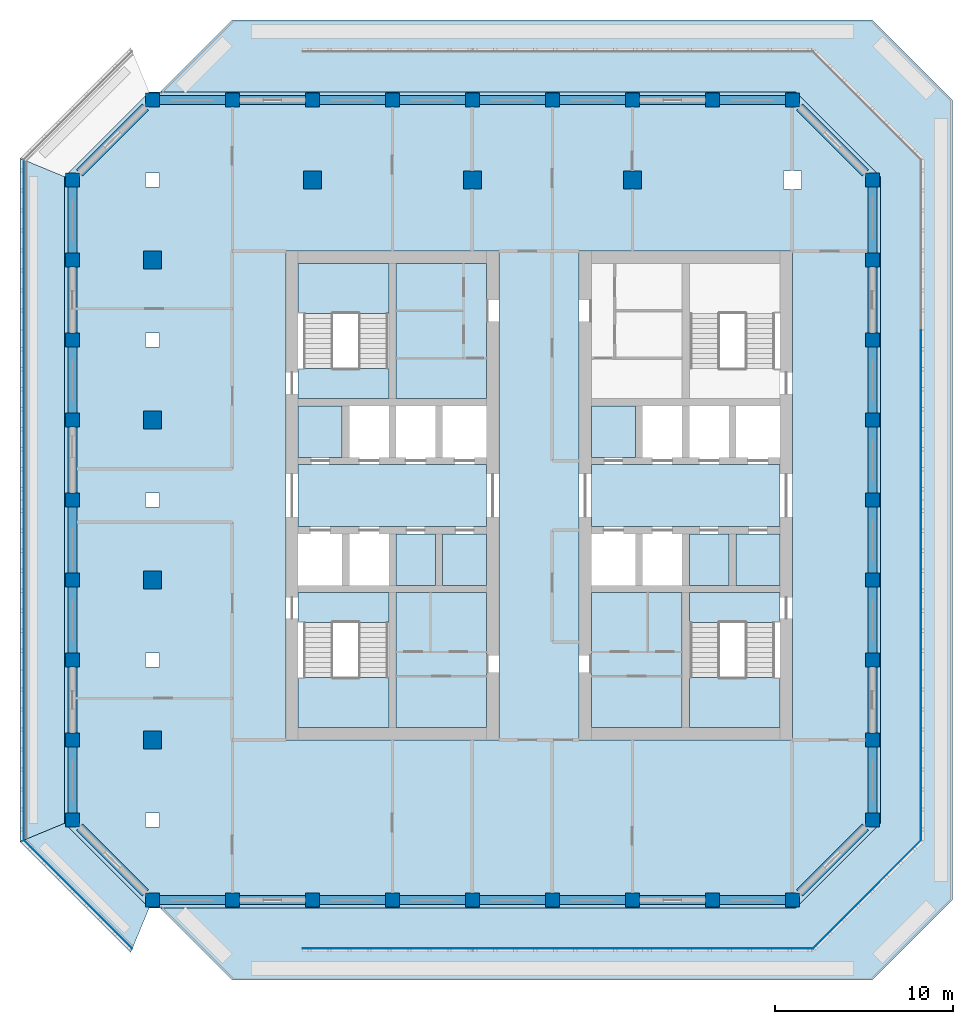
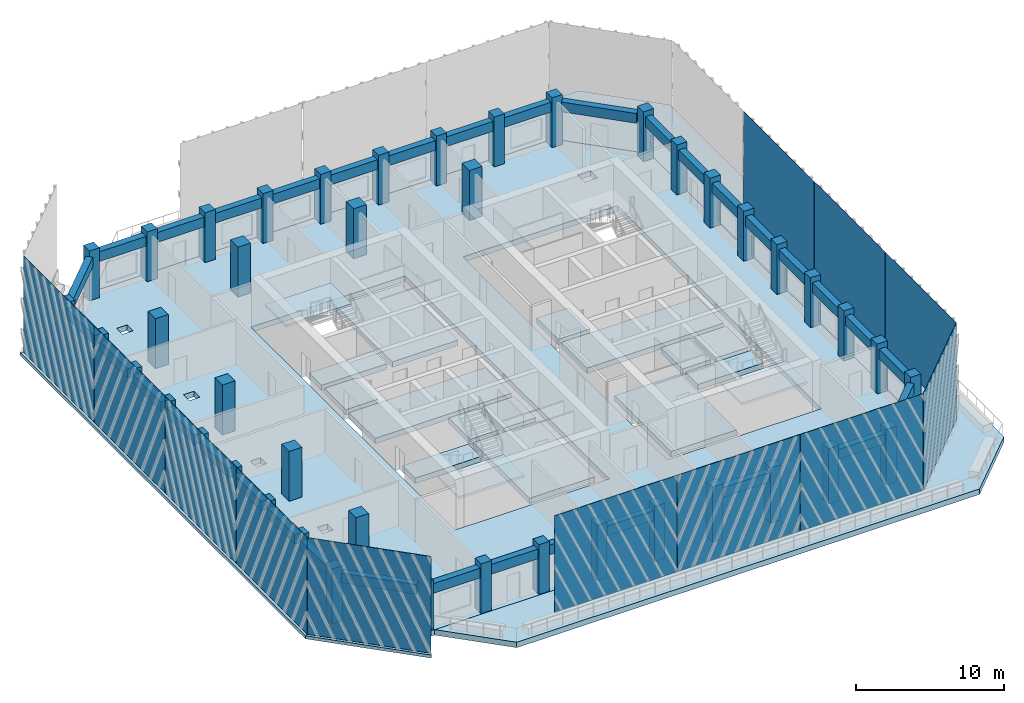
# One storey, part 1 of 14: 43 columns, 36 beams, 21 slabs, 12 plates, 3 elements without a shape of their own.
"""IFC4 building model written with IfcOpenShell, lengths in metres."""

from ifc_helpers import new_model, si_unit, direction, frame, origin, origin_2d, place, context, subcontext, project, spatial, polyline, rectangle, outline, extrude, material, layer, layer_set, material_profile, profile_set, type_object, element, aggregate, save


model = new_model("IFC4")

# Units and contexts
model_context = context("Model", 3, precision=1e-05, world=origin(), true_north=direction((0.0, 1.0)))
body_context = subcontext(model_context, "Body", "Model", "MODEL_VIEW")
ifc_project = project(units=[si_unit("LENGTHUNIT", "METRE"), si_unit("AREAUNIT", "SQUARE_METRE"), si_unit("VOLUMEUNIT", "CUBIC_METRE"), si_unit("PLANEANGLEUNIT", "RADIAN"), si_unit("MASSUNIT", "GRAM", prefix="KILO")], contexts=[model_context])

# Site, building, storey
site_placement = place(None, origin())
site = spatial("IfcSite", under=ifc_project, at=site_placement, CompositionType="ELEMENT")
building_placement = place(site_placement, origin())
building = spatial("IfcBuilding", under=site, at=building_placement, Name="Corbel Stack Research Tower", CompositionType="ELEMENT")
storey_placement = place(building_placement, frame((0.0, 0.0, 266.300048828125)))
storey = spatial("IfcBuildingStorey", under=building, at=storey_placement, Name="L60", CompositionType="ELEMENT", Elevation=266.300048828125)

# Columns
ifc_material_1 = material(Name="Concrete C60/75", Category="concrete")
ifc_material_profile_1 = material_profile(ifc_material_1, rectangle(XDim=1.0, YDim=1.0, at=origin_2d()), Name="RC 1000 x 1000")
ifc_profile_set_1 = profile_set([ifc_material_profile_1], Name="Concrete C60/75")
column_type_1 = type_object("IfcColumnType", Name="C-1000-60", PredefinedType="COLUMN", material=ifc_profile_set_1)
for number, where, z_axis, x_axis, name in (
    (1, (-18.0, -9.0, -0.449951171875), (0.0, 0.0, 1.0), (1.0, 0.0, 0.0), "Column 4/F L60"),
    (2, (-18.0, 0.0, -0.449951171875), (0.0, 0.0, 1.0), (1.0, 0.0, 0.0), "Column 4/H L60"),
    (3, (-18.0, 9.0, -0.449951171875), (0.0, 0.0, 1.0), (1.0, 0.0, 0.0), "Column 4/K L60"),
    (4, (-18.0, 18.0, -0.449951171875), (0.0, 0.0, 1.0), (1.0, 0.0, 0.0), "Column 4/M L60"),
):
    element("IfcColumn", number, at=place(storey_placement, frame(where, z_axis=z_axis, x_axis=x_axis)), inside=storey, type_object=column_type_1, Name=name, PredefinedType="COLUMN", context=body_context, shape_type="SweptSolid", body=[
        extrude(rectangle(XDim=1.0, YDim=1.0, at=origin_2d()), origin(), (0.0, 0.0, 1.0), 4.5498046875),
    ])
for number, where, z_axis, x_axis, name in (
    (5, (-9.0, 22.5, 0.0), (0.0, 0.0, 1.0), (1.0, 0.0, 0.0), "Column 6/N L60"),
    (6, (0.0, 22.5, 0.0), (0.0, 0.0, 1.0), (1.0, 0.0, 0.0), "Column 8/N L60"),
    (7, (9.0, 22.5, 0.0), (0.0, 0.0, 1.0), (1.0, 0.0, 0.0), "Column 10/N L60"),
):
    element("IfcColumn", number, at=place(storey_placement, frame(where, z_axis=z_axis, x_axis=x_axis)), inside=storey, type_object=column_type_1, Name=name, PredefinedType="COLUMN", context=body_context, shape_type="SweptSolid", body=[
        extrude(rectangle(XDim=1.0, YDim=1.0, at=origin_2d()), origin(), (0.0, 0.0, 1.0), 4.099853515625),
    ])
ifc_material_2 = material(Name="Concrete C60/75", Category="concrete")
ifc_material_profile_2 = material_profile(ifc_material_2, rectangle(XDim=0.800048828125, YDim=0.800048828125, at=origin_2d()), Name="RC 800 x 800")
ifc_profile_set_2 = profile_set([ifc_material_profile_2], Name="Concrete C60/75")
column_type_2 = type_object("IfcColumnType", Name="C-800-60", PredefinedType="COLUMN", material=ifc_profile_set_2)
for number, where, z_axis, x_axis, name in (
    (8, (-22.5, -13.5, -0.449951171875), (0.0, 0.0, 1.0), (1.0, 0.0, 0.0), "Column 3/E L60"),
    (9, (-22.5, -9.0, -0.449951171875), (0.0, 0.0, 1.0), (1.0, 0.0, 0.0), "Column 3/F L60"),
    (10, (-22.5, -4.5, -0.449951171875), (0.0, 0.0, 1.0), (1.0, 0.0, 0.0), "Column 3/G L60"),
    (11, (-22.5, 0.0, -0.449951171875), (0.0, 0.0, 1.0), (1.0, 0.0, 0.0), "Column 3/H L60"),
    (12, (-22.5, 4.5, -0.449951171875), (0.0, 0.0, 1.0), (1.0, 0.0, 0.0), "Column 3/J L60"),
    (13, (-22.5, 9.0, -0.449951171875), (0.0, 0.0, 1.0), (1.0, 0.0, 0.0), "Column 3/K L60"),
    (14, (-22.5, 13.5, -0.449951171875), (0.0, 0.0, 1.0), (1.0, 0.0, 0.0), "Column 3/L L60"),
    (15, (-22.5, 18.0, -0.449951171875), (0.0, 0.0, 1.0), (1.0, 0.0, 0.0), "Column 3/M L60"),
    (16, (-22.5, 22.5, -0.449951171875), (0.0, 0.0, 1.0), (1.0, 0.0, 0.0), "Column 3/N L60"),
    (17, (-18.0, -18.0, -0.449951171875), (0.0, 0.0, 1.0), (1.0, 0.0, 0.0), "Column 4/D L60"),
    (18, (-18.0, 27.0, -0.449951171875), (0.0, 0.0, 1.0), (1.0, 0.0, 0.0), "Column 4/P L60"),
    (19, (-13.5, -18.0, -0.449951171875), (0.0, 0.0, 1.0), (1.0, 0.0, 0.0), "Column 5/D L60"),
    (20, (-13.5, 27.0, -0.449951171875), (0.0, 0.0, 1.0), (1.0, 0.0, 0.0), "Column 5/P L60"),
    (21, (-9.0, -18.0, -0.449951171875), (0.0, 0.0, 1.0), (1.0, 0.0, 0.0), "Column 6/D L60"),
    (22, (-9.0, 27.0, -0.449951171875), (0.0, 0.0, 1.0), (1.0, 0.0, 0.0), "Column 6/P L60"),
    (23, (-4.5, -18.0, -0.449951171875), (0.0, 0.0, 1.0), (1.0, 0.0, 0.0), "Column 7/D L60"),
    (24, (-4.5, 27.0, -0.449951171875), (0.0, 0.0, 1.0), (1.0, 0.0, 0.0), "Column 7/P L60"),
    (25, (0.0, -18.0, -0.449951171875), (0.0, 0.0, 1.0), (1.0, 0.0, 0.0), "Column 8/D L60"),
    (26, (0.0, 27.0, -0.449951171875), (0.0, 0.0, 1.0), (1.0, 0.0, 0.0), "Column 8/P L60"),
    (27, (4.5, -18.0, -0.449951171875), (0.0, 0.0, 1.0), (1.0, 0.0, 0.0), "Column 9/D L60"),
    (28, (4.5, 27.0, -0.449951171875), (0.0, 0.0, 1.0), (1.0, 0.0, 0.0), "Column 9/P L60"),
    (29, (9.0, -18.0, -0.449951171875), (0.0, 0.0, 1.0), (1.0, 0.0, 0.0), "Column 10/D L60"),
    (30, (9.0, 27.0, -0.449951171875), (0.0, 0.0, 1.0), (1.0, 0.0, 0.0), "Column 10/P L60"),
    (31, (13.5, -18.0, -0.449951171875), (0.0, 0.0, 1.0), (1.0, 0.0, 0.0), "Column 11/D L60"),
    (32, (13.5, 27.0, -0.449951171875), (0.0, 0.0, 1.0), (1.0, 0.0, 0.0), "Column 11/P L60"),
    (33, (18.0, -18.0, -0.449951171875), (0.0, 0.0, 1.0), (1.0, 0.0, 0.0), "Column 12/D L60"),
    (34, (18.0, 27.0, -0.449951171875), (0.0, 0.0, 1.0), (1.0, 0.0, 0.0), "Column 12/P L60"),
    (35, (22.5, -13.5, -0.449951171875), (0.0, 0.0, 1.0), (1.0, 0.0, 0.0), "Column 13/E L60"),
    (36, (22.5, -9.0, -0.449951171875), (0.0, 0.0, 1.0), (1.0, 0.0, 0.0), "Column 13/F L60"),
    (37, (22.5, -4.5, -0.449951171875), (0.0, 0.0, 1.0), (1.0, 0.0, 0.0), "Column 13/G L60"),
    (38, (22.5, 0.0, -0.449951171875), (0.0, 0.0, 1.0), (1.0, 0.0, 0.0), "Column 13/H L60"),
    (39, (22.5, 4.5, -0.449951171875), (0.0, 0.0, 1.0), (1.0, 0.0, 0.0), "Column 13/J L60"),
    (40, (22.5, 9.0, -0.449951171875), (0.0, 0.0, 1.0), (1.0, 0.0, 0.0), "Column 13/K L60"),
    (41, (22.5, 13.5, -0.449951171875), (0.0, 0.0, 1.0), (1.0, 0.0, 0.0), "Column 13/L L60"),
    (42, (22.5, 18.0, -0.449951171875), (0.0, 0.0, 1.0), (1.0, 0.0, 0.0), "Column 13/M L60"),
    (43, (22.5, 22.5, -0.449951171875), (0.0, 0.0, 1.0), (1.0, 0.0, 0.0), "Column 13/N L60"),
):
    element("IfcColumn", number, at=place(storey_placement, frame(where, z_axis=z_axis, x_axis=x_axis)), inside=storey, type_object=column_type_2, Name=name, PredefinedType="COLUMN", context=body_context, shape_type="SweptSolid", body=[
        extrude(rectangle(XDim=0.800048828125, YDim=0.800048828125, at=origin_2d()), origin(), (0.0, 0.0, 1.0), 4.5498046875),
    ])

# Beams
ifc_material_3 = material(Name="Concrete C60/75", Category="concrete")
ifc_material_profile_3 = material_profile(ifc_material_3, rectangle(XDim=0.5, YDim=0.800048828125, at=origin_2d()), Name="RC 500 x 800")
ifc_profile_set_3 = profile_set([ifc_material_profile_3], Name="Concrete C60/75")
beam_type = type_object("IfcBeamType", Name="SB-500-800-450", PredefinedType="SPANDREL", material=ifc_profile_set_3)
for number, where, z_axis, x_axis, name in (
    (44, (-17.60009765625, -18.0, 3.25), (1.0, 0.0, 0.0), (0.0, 1.0, 0.0), "Spandrel beam L60-01"),
    (45, (-13.10009765625, -18.0, 3.25), (1.0, 0.0, 0.0), (0.0, 1.0, 0.0), "Spandrel beam L60-02"),
    (46, (-8.60009765625, -18.0, 3.25), (1.0, 0.0, 0.0), (0.0, 1.0, 0.0), "Spandrel beam L60-03"),
    (47, (-4.10009765625, -18.0, 3.25), (1.0, 0.0, 0.0), (0.0, 1.0, 0.0), "Spandrel beam L60-04"),
    (48, (0.39990234375, -18.0, 3.25), (1.0, 0.0, 0.0), (0.0, 1.0, 0.0), "Spandrel beam L60-05"),
    (49, (4.89990234375, -18.0, 3.25), (1.0, 0.0, 0.0), (0.0, 1.0, 0.0), "Spandrel beam L60-06"),
    (50, (9.39990234375, -18.0, 3.25), (1.0, 0.0, 0.0), (0.0, 1.0, 0.0), "Spandrel beam L60-07"),
    (51, (13.89990234375, -18.0, 3.25), (1.0, 0.0, 0.0), (0.0, 1.0, 0.0), "Spandrel beam L60-08"),
):
    element("IfcBeam", number, at=place(storey_placement, frame(where, z_axis=z_axis, x_axis=x_axis)), inside=storey, type_object=beam_type, Name=name, PredefinedType="SPANDREL", context=body_context, shape_type="SweptSolid", body=[
        extrude(rectangle(XDim=0.5, YDim=0.800048828125, at=origin_2d()), origin(), (0.0, 0.0, 1.0), 3.7001953125),
    ])
beam_1_placement = place(storey_placement, frame((18.39990234375, -17.60009765625, 3.25), z_axis=(0.707106781187, 0.707106781187, 0.0), x_axis=(-0.707106781187, 0.707106781187, 0.0)))
element("IfcBeam", 52, at=beam_1_placement, inside=storey, type_object=beam_type, Name="Spandrel beam L60-09", PredefinedType="SPANDREL", context=body_context, shape_type="SweptSolid", body=[
    extrude(rectangle(XDim=0.5, YDim=0.800048828125, at=origin_2d()), origin(), (0.0, 0.0, 1.0), 5.23291015625),
])
for number, where, z_axis, x_axis, name in (
    (53, (22.5, -13.10009765625, 3.25), (0.0, 1.0, 0.0), (-1.0, 0.0, 0.0), "Spandrel beam L60-10"),
    (54, (22.5, -8.60009765625, 3.25), (0.0, 1.0, 0.0), (-1.0, 0.0, 0.0), "Spandrel beam L60-11"),
    (55, (22.5, -4.10009765625, 3.25), (0.0, 1.0, 0.0), (-1.0, 0.0, 0.0), "Spandrel beam L60-12"),
    (56, (22.5, 0.39990234375, 3.25), (0.0, 1.0, 0.0), (-1.0, 0.0, 0.0), "Spandrel beam L60-13"),
    (57, (22.5, 4.89990234375, 3.25), (0.0, 1.0, 0.0), (-1.0, 0.0, 0.0), "Spandrel beam L60-14"),
    (58, (22.5, 9.39990234375, 3.25), (0.0, 1.0, 0.0), (-1.0, 0.0, 0.0), "Spandrel beam L60-15"),
    (59, (22.5, 13.89990234375, 3.25), (0.0, 1.0, 0.0), (-1.0, 0.0, 0.0), "Spandrel beam L60-16"),
    (60, (22.5, 18.39990234375, 3.25), (0.0, 1.0, 0.0), (-1.0, 0.0, 0.0), "Spandrel beam L60-17"),
):
    element("IfcBeam", number, at=place(storey_placement, frame(where, z_axis=z_axis, x_axis=x_axis)), inside=storey, type_object=beam_type, Name=name, PredefinedType="SPANDREL", context=body_context, shape_type="SweptSolid", body=[
        extrude(rectangle(XDim=0.5, YDim=0.800048828125, at=origin_2d()), origin(), (0.0, 0.0, 1.0), 3.7001953125),
    ])
beam_2_placement = place(storey_placement, frame((22.10009765625, 22.89990234375, 3.25), z_axis=(-0.707106781187, 0.707106781187, 0.0), x_axis=(-0.707106781187, -0.707106781187, 0.0)))
element("IfcBeam", 61, at=beam_2_placement, inside=storey, type_object=beam_type, Name="Spandrel beam L60-18", PredefinedType="SPANDREL", context=body_context, shape_type="SweptSolid", body=[
    extrude(rectangle(XDim=0.5, YDim=0.800048828125, at=origin_2d()), origin(), (0.0, 0.0, 1.0), 5.23291015625),
])
for number, where, z_axis, x_axis, name in (
    (62, (17.60009765625, 27.0, 3.25), (-1.0, 0.0, 0.0), (0.0, -1.0, 0.0), "Spandrel beam L60-19"),
    (63, (13.10009765625, 27.0, 3.25), (-1.0, 0.0, 0.0), (0.0, -1.0, 0.0), "Spandrel beam L60-20"),
    (64, (8.60009765625, 27.0, 3.25), (-1.0, 0.0, 0.0), (0.0, -1.0, 0.0), "Spandrel beam L60-21"),
    (65, (4.10009765625, 27.0, 3.25), (-1.0, 0.0, 0.0), (0.0, -1.0, 0.0), "Spandrel beam L60-22"),
    (66, (-0.39990234375, 27.0, 3.25), (-1.0, 0.0, 0.0), (0.0, -1.0, 0.0), "Spandrel beam L60-23"),
    (67, (-4.89990234375, 27.0, 3.25), (-1.0, 0.0, 0.0), (0.0, -1.0, 0.0), "Spandrel beam L60-24"),
    (68, (-9.39990234375, 27.0, 3.25), (-1.0, 0.0, 0.0), (0.0, -1.0, 0.0), "Spandrel beam L60-25"),
    (69, (-13.89990234375, 27.0, 3.25), (-1.0, 0.0, 0.0), (0.0, -1.0, 0.0), "Spandrel beam L60-26"),
):
    element("IfcBeam", number, at=place(storey_placement, frame(where, z_axis=z_axis, x_axis=x_axis)), inside=storey, type_object=beam_type, Name=name, PredefinedType="SPANDREL", context=body_context, shape_type="SweptSolid", body=[
        extrude(rectangle(XDim=0.5, YDim=0.800048828125, at=origin_2d()), origin(), (0.0, 0.0, 1.0), 3.7001953125),
    ])
beam_3_placement = place(storey_placement, frame((-18.39990234375, 26.60009765625, 3.25), z_axis=(-0.707106781187, -0.707106781187, 0.0), x_axis=(0.707106781187, -0.707106781187, 0.0)))
element("IfcBeam", 70, at=beam_3_placement, inside=storey, type_object=beam_type, Name="Spandrel beam L60-27", PredefinedType="SPANDREL", context=body_context, shape_type="SweptSolid", body=[
    extrude(rectangle(XDim=0.5, YDim=0.800048828125, at=origin_2d()), origin(), (0.0, 0.0, 1.0), 5.23291015625),
])
for number, where, z_axis, x_axis, name in (
    (71, (-22.5, 22.10009765625, 3.25), (0.0, -1.0, 0.0), (1.0, 0.0, 0.0), "Spandrel beam L60-28"),
    (72, (-22.5, 17.60009765625, 3.25), (0.0, -1.0, 0.0), (1.0, 0.0, 0.0), "Spandrel beam L60-29"),
    (73, (-22.5, 13.10009765625, 3.25), (0.0, -1.0, 0.0), (1.0, 0.0, 0.0), "Spandrel beam L60-30"),
    (74, (-22.5, 8.60009765625, 3.25), (0.0, -1.0, 0.0), (1.0, 0.0, 0.0), "Spandrel beam L60-31"),
    (75, (-22.5, 4.10009765625, 3.25), (0.0, -1.0, 0.0), (1.0, 0.0, 0.0), "Spandrel beam L60-32"),
    (76, (-22.5, -0.39990234375, 3.25), (0.0, -1.0, 0.0), (1.0, 0.0, 0.0), "Spandrel beam L60-33"),
    (77, (-22.5, -4.89990234375, 3.25), (0.0, -1.0, 0.0), (1.0, 0.0, 0.0), "Spandrel beam L60-34"),
    (78, (-22.5, -9.39990234375, 3.25), (0.0, -1.0, 0.0), (1.0, 0.0, 0.0), "Spandrel beam L60-35"),
):
    element("IfcBeam", number, at=place(storey_placement, frame(where, z_axis=z_axis, x_axis=x_axis)), inside=storey, type_object=beam_type, Name=name, PredefinedType="SPANDREL", context=body_context, shape_type="SweptSolid", body=[
        extrude(rectangle(XDim=0.5, YDim=0.800048828125, at=origin_2d()), origin(), (0.0, 0.0, 1.0), 3.7001953125),
    ])
beam_4_placement = place(storey_placement, frame((-22.10009765625, -13.89990234375, 3.25), z_axis=(0.707106781187, -0.707106781187, 0.0), x_axis=(0.707106781187, 0.707106781187, 0.0)))
element("IfcBeam", 79, at=beam_4_placement, inside=storey, type_object=beam_type, Name="Spandrel beam L60-36", PredefinedType="SPANDREL", context=body_context, shape_type="SweptSolid", body=[
    extrude(rectangle(XDim=0.5, YDim=0.800048828125, at=origin_2d()), origin(), (0.0, 0.0, 1.0), 5.23291015625),
])

# Plates
ifc_material_4 = material(Name="Fritted glass", Category="glass")
ifc_layer_1 = layer(ifc_material_4, 0.02490234375)
ifc_layer_set_1 = layer_set([ifc_layer_1], Name="Fritted glass")
plate_type = type_object("IfcPlateType", Name="Fritted glass panel 25", PredefinedType="SHEET", material=ifc_layer_set_1)
for number, where, z_axis, x_axis, name in (
    (80, (-4.784912109375, -20.737548828125, 0.0), (0.0, 0.0, 1.0), (1.0, 0.0, 0.0), "Fritted glass L60 S2"),
    (81, (4.784912109375, -20.737548828125, 0.0), (0.0, 0.0, 1.0), (1.0, 0.0, 0.0), "Fritted glass L60 S3"),
    (82, (14.354248046875, -20.737548828125, 0.0), (0.0, 0.0, 1.0), (1.0, 0.0, 0.0), "Fritted glass L60 S4"),
):
    element("IfcPlate", number, at=place(storey_placement, frame(where, z_axis=z_axis, x_axis=x_axis)), inside=storey, type_object=plate_type, Name=name, PredefinedType="SHEET", context=body_context, shape_type="SweptSolid", body=[
        extrude(rectangle(XDim=9.509521484375, YDim=0.02490234375, at=origin_2d()), origin(), (0.0, 0.0, 1.0), 7.949951171875),
    ])
plate_1_placement = place(storey_placement, frame((22.185791015625, -17.685791015625, 0.0), z_axis=(0.0, 0.0, 1.0), x_axis=(0.707106781187, 0.707106781187, 0.0)))
element("IfcPlate", 83, at=plate_1_placement, inside=storey, type_object=plate_type, Name="Fritted glass L60 SE1", PredefinedType="SHEET", context=body_context, shape_type="SweptSolid", body=[
    extrude(rectangle(XDim=8.58203125, YDim=0.02490234375, at=origin_2d()), origin(), (0.0, 0.0, 1.0), 7.949951171875),
])
for number, where, z_axis, x_axis, name in (
    (84, (25.237548828125, -9.854248046875, 0.0), (0.0, 0.0, 1.0), (0.0, 1.0, 0.0), "Fritted glass L60 E1"),
    (85, (25.237548828125, -0.284912109375, 0.0), (0.0, 0.0, 1.0), (0.0, 1.0, 0.0), "Fritted glass L60 E2"),
    (86, (25.237548828125, 9.284912109375, 0.0), (0.0, 0.0, 1.0), (0.0, 1.0, 0.0), "Fritted glass L60 E3"),
    (87, (-25.237548828125, 18.854248046875, 0.0), (0.0, 0.0, 1.0), (0.0, -1.0, 0.0), "Fritted glass L60 W1"),
    (88, (-25.237548828125, 9.284912109375, 0.0), (0.0, 0.0, 1.0), (0.0, -1.0, 0.0), "Fritted glass L60 W2"),
    (89, (-25.237548828125, -0.284912109375, 0.0), (0.0, 0.0, 1.0), (0.0, -1.0, 0.0), "Fritted glass L60 W3"),
    (90, (-25.237548828125, -9.854248046875, 0.0), (0.0, 0.0, 1.0), (0.0, -1.0, 0.0), "Fritted glass L60 W4"),
):
    element("IfcPlate", number, at=place(storey_placement, frame(where, z_axis=z_axis, x_axis=x_axis)), inside=storey, type_object=plate_type, Name=name, PredefinedType="SHEET", context=body_context, shape_type="SweptSolid", body=[
        extrude(rectangle(XDim=9.509521484375, YDim=0.02490234375, at=origin_2d()), origin(), (0.0, 0.0, 1.0), 7.949951171875),
    ])
plate_2_placement = place(storey_placement, frame((-22.185791015625, -17.685791015625, 0.0), z_axis=(0.0, 0.0, 1.0), x_axis=(0.707106781187, -0.707106781187, 0.0)))
element("IfcPlate", 91, at=plate_2_placement, inside=storey, type_object=plate_type, Name="Fritted glass L60 SW1", PredefinedType="SHEET", context=body_context, shape_type="SweptSolid", body=[
    extrude(rectangle(XDim=8.58203125, YDim=0.02490234375, at=origin_2d()), origin(), (0.0, 0.0, 1.0), 7.949951171875),
])

# Slabs
ifc_material_5 = material(Name="Concrete C45/55", Category="concrete")
ifc_layer_2 = layer(ifc_material_5, 0.25)
ifc_layer_set_2 = layer_set([ifc_layer_2], Name="Concrete C45/55")
slab_type_1 = type_object("IfcSlabType", Name="PT balcony slab 250 C45/55", PredefinedType="FLOOR", material=ifc_layer_set_2)
slab_1_placement = place(storey_placement, frame((0.0, 0.0, -0.25)))
element("IfcSlab", 92, at=slab_1_placement, inside=storey, type_object=slab_type_1, Name="Loggia slab L60 W", PredefinedType="FLOOR", context=body_context, shape_type="SweptSolid", body=[
    extrude(outline(polyline([(-22.949951171875, -13.686279296875), (-22.949951171875, 22.686279296875), (-25.449951171875, 23.721923828125), (-25.449951171875, -14.721923828125), (-22.949951171875, -13.686279296875)])), origin(), (0.0, 0.0, 1.0), 0.25),
])
slab_2_placement = place(storey_placement, frame((0.0, 0.0, -0.25)))
element("IfcSlab", 93, at=slab_2_placement, inside=storey, type_object=slab_type_1, Name="Loggia slab L60 SW", PredefinedType="FLOOR", context=body_context, shape_type="SweptSolid", body=[
    extrude(outline(polyline([(-18.186279296875, -18.449951171875), (-18.236328125, -18.39990234375), (-18.39990234375, -18.39990234375), (-18.39990234375, -18.236328125), (-22.736328125, -13.89990234375), (-22.89990234375, -13.89990234375), (-22.89990234375, -13.736328125), (-22.949951171875, -13.686279296875), (-25.449951171875, -14.721923828125), (-19.221923828125, -20.949951171875), (-18.186279296875, -18.449951171875)])), origin(), (0.0, 0.0, 1.0), 0.25),
])
ifc_material_6 = material(Name="Concrete C45/55", Category="concrete")
ifc_layer_3 = layer(ifc_material_6, 0.449951171875)
ifc_layer_set_3 = layer_set([ifc_layer_3], Name="Concrete C45/55")
slab_type_2 = type_object("IfcSlabType", Name="PT-450", PredefinedType="FLOOR", material=ifc_layer_set_3)
slab_3_placement = place(storey_placement, frame((0.0, 0.0, -0.449951171875)))
element("IfcSlab", 94, at=slab_3_placement, inside=storey, type_object=slab_type_2, Name="Floor slab L60", PredefinedType="FLOOR", context=body_context, shape_type="SweptSolid", body=[
    extrude(outline(polyline([(-18.186279296875, -18.449951171875), (18.186279296875, -18.449951171875), (22.949951171875, -13.686279296875), (22.949951171875, 22.686279296875), (18.186279296875, 27.449951171875), (-18.186279296875, 27.449951171875), (-22.949951171875, 22.686279296875), (-22.949951171875, -13.686279296875), (-18.186279296875, -18.449951171875)]), holes=[polyline([(18.5, 22.0), (17.5, 22.0), (17.5, 23.0), (18.5, 23.0), (18.5, 22.0)]), polyline([(18.0, -9.0), (6.0, -9.0), (6.0, 18.5), (18.0, 18.5), (18.0, -9.0)]), polyline([(9.5, 22.0), (8.5, 22.0), (8.5, 23.0), (9.5, 23.0), (9.5, 22.0)]), polyline([(1.5, -9.0), (-10.5, -9.0), (-10.5, 18.5), (1.5, 18.5), (1.5, -9.0)]), polyline([(0.5, 22.0), (-0.5, 22.0), (-0.5, 23.0), (0.5, 23.0), (0.5, 22.0)]), polyline([(-8.5, 22.0), (-9.5, 22.0), (-9.5, 23.0), (-8.5, 23.0), (-8.5, 22.0)]), polyline([(-17.60009765625, -13.10009765625), (-17.60009765625, -13.89990234375), (-18.39990234375, -13.89990234375), (-18.39990234375, -13.10009765625), (-17.60009765625, -13.10009765625)]), polyline([(-17.60009765625, -9.39990234375), (-18.39990234375, -9.39990234375), (-18.39990234375, -8.60009765625), (-17.60009765625, -8.60009765625), (-17.60009765625, -9.39990234375)]), polyline([(-17.60009765625, -4.89990234375), (-18.39990234375, -4.89990234375), (-18.39990234375, -4.10009765625), (-17.60009765625, -4.10009765625), (-17.60009765625, -4.89990234375)]), polyline([(-17.60009765625, -0.39990234375), (-18.39990234375, -0.39990234375), (-18.39990234375, 0.39990234375), (-17.60009765625, 0.39990234375), (-17.60009765625, -0.39990234375)]), polyline([(-17.60009765625, 4.10009765625), (-18.39990234375, 4.10009765625), (-18.39990234375, 4.89990234375), (-17.60009765625, 4.89990234375), (-17.60009765625, 4.10009765625)]), polyline([(-17.60009765625, 8.60009765625), (-18.39990234375, 8.60009765625), (-18.39990234375, 9.39990234375), (-17.60009765625, 9.39990234375), (-17.60009765625, 8.60009765625)]), polyline([(-17.60009765625, 13.10009765625), (-18.39990234375, 13.10009765625), (-18.39990234375, 13.89990234375), (-17.60009765625, 13.89990234375), (-17.60009765625, 13.10009765625)]), polyline([(-17.60009765625, 17.60009765625), (-18.39990234375, 17.60009765625), (-18.39990234375, 18.39990234375), (-17.60009765625, 18.39990234375), (-17.60009765625, 17.60009765625)]), polyline([(-17.60009765625, 22.10009765625), (-18.39990234375, 22.10009765625), (-18.39990234375, 22.89990234375), (-17.60009765625, 22.89990234375), (-17.60009765625, 22.10009765625)])]), origin(), (0.0, 0.0, 1.0), 0.449951171875),
])
slab_4_placement = place(storey_placement, frame((0.0, 0.0, -0.449951171875)))
element("IfcSlab", 95, at=slab_4_placement, inside=storey, type_object=slab_type_2, Name="West core floor L60", PredefinedType="FLOOR", context=body_context, shape_type="SweptSolid", body=[
    extrude(outline(polyline([(-9.800048828125, 6.5), (-9.800048828125, 3.0), (0.800048828125, 3.0), (0.800048828125, 6.5), (-9.800048828125, 6.5)])), origin(), (0.0, 0.0, 1.0), 0.449951171875),
])
slab_5_placement = place(storey_placement, frame((0.0, 0.0, -0.449951171875)))
element("IfcSlab", 96, at=slab_5_placement, inside=storey, type_object=slab_type_2, Name="West core floor L60", PredefinedType="FLOOR", context=body_context, shape_type="SweptSolid", body=[
    extrude(outline(polyline([(-9.800048828125, 6.89990234375), (-7.324951171875, 6.89990234375), (-7.324951171875, 9.800048828125), (-9.800048828125, 9.800048828125), (-9.800048828125, 6.89990234375)])), origin(), (0.0, 0.0, 1.0), 0.449951171875),
])
slab_6_placement = place(storey_placement, frame((0.0, 0.0, -0.449951171875)))
element("IfcSlab", 97, at=slab_6_placement, inside=storey, type_object=slab_type_2, Name="West core floor L60", PredefinedType="FLOOR", context=body_context, shape_type="SweptSolid", body=[
    extrude(outline(polyline([(-4.300048828125, -0.699951171875), (-4.300048828125, -8.300048828125), (0.800048828125, -8.300048828125), (0.800048828125, -0.699951171875), (-4.300048828125, -0.699951171875)])), origin(), (0.0, 0.0, 1.0), 0.449951171875),
])
slab_7_placement = place(storey_placement, frame((0.0, 0.0, -0.449951171875)))
element("IfcSlab", 98, at=slab_7_placement, inside=storey, type_object=slab_type_2, Name="West core floor L60", PredefinedType="FLOOR", context=body_context, shape_type="SweptSolid", body=[
    extrude(outline(polyline([(-4.300048828125, 2.60009765625), (-4.300048828125, -0.300048828125), (-2.074951171875, -0.300048828125), (-2.074951171875, 2.60009765625), (-4.300048828125, 2.60009765625)])), origin(), (0.0, 0.0, 1.0), 0.449951171875),
])
slab_8_placement = place(storey_placement, frame((0.0, 0.0, -0.449951171875)))
element("IfcSlab", 99, at=slab_8_placement, inside=storey, type_object=slab_type_2, Name="West core floor L60", PredefinedType="FLOOR", context=body_context, shape_type="SweptSolid", body=[
    extrude(outline(polyline([(-4.300048828125, 17.800048828125), (-4.300048828125, 10.199951171875), (0.800048828125, 10.199951171875), (0.800048828125, 17.800048828125), (-4.300048828125, 17.800048828125)])), origin(), (0.0, 0.0, 1.0), 0.449951171875),
])
slab_9_placement = place(storey_placement, frame((0.0, 0.0, -0.449951171875)))
element("IfcSlab", 100, at=slab_9_placement, inside=storey, type_object=slab_type_2, Name="West core floor L60", PredefinedType="FLOOR", context=body_context, shape_type="SweptSolid", body=[
    extrude(outline(polyline([(-1.675048828125, 2.60009765625), (-1.675048828125, -0.300048828125), (0.800048828125, -0.300048828125), (0.800048828125, 2.60009765625), (-1.675048828125, 2.60009765625)])), origin(), (0.0, 0.0, 1.0), 0.449951171875),
])
slab_10_placement = place(storey_placement, frame((0.0, 0.0, -0.449951171875)))
element("IfcSlab", 101, at=slab_10_placement, inside=storey, type_object=slab_type_2, Name="East core floor L60", PredefinedType="FLOOR", context=body_context, shape_type="SweptSolid", body=[
    extrude(outline(polyline([(6.699951171875, -8.300048828125), (11.800048828125, -8.300048828125), (11.800048828125, -0.699951171875), (6.699951171875, -0.699951171875), (6.699951171875, -8.300048828125)])), origin(), (0.0, 0.0, 1.0), 0.449951171875),
])
slab_11_placement = place(storey_placement, frame((0.0, 0.0, -0.449951171875)))
element("IfcSlab", 102, at=slab_11_placement, inside=storey, type_object=slab_type_2, Name="East core floor L60", PredefinedType="FLOOR", context=body_context, shape_type="SweptSolid", body=[
    extrude(outline(polyline([(6.699951171875, 3.0), (17.300048828125, 3.0), (17.300048828125, 6.5), (6.699951171875, 6.5), (6.699951171875, 3.0)])), origin(), (0.0, 0.0, 1.0), 0.449951171875),
])
slab_12_placement = place(storey_placement, frame((0.0, 0.0, -0.449951171875)))
element("IfcSlab", 103, at=slab_12_placement, inside=storey, type_object=slab_type_2, Name="East core floor L60", PredefinedType="FLOOR", context=body_context, shape_type="SweptSolid", body=[
    extrude(outline(polyline([(6.699951171875, 6.89990234375), (9.175048828125, 6.89990234375), (9.175048828125, 9.800048828125), (6.699951171875, 9.800048828125), (6.699951171875, 6.89990234375)])), origin(), (0.0, 0.0, 1.0), 0.449951171875),
])
slab_13_placement = place(storey_placement, frame((0.0, 0.0, -0.449951171875)))
element("IfcSlab", 104, at=slab_13_placement, inside=storey, type_object=slab_type_2, Name="East core floor L60", PredefinedType="FLOOR", context=body_context, shape_type="SweptSolid", body=[
    extrude(outline(polyline([(12.199951171875, 2.60009765625), (12.199951171875, -0.300048828125), (14.425048828125, -0.300048828125), (14.425048828125, 2.60009765625), (12.199951171875, 2.60009765625)])), origin(), (0.0, 0.0, 1.0), 0.449951171875),
])
slab_14_placement = place(storey_placement, frame((0.0, 0.0, -0.449951171875)))
element("IfcSlab", 105, at=slab_14_placement, inside=storey, type_object=slab_type_2, Name="East core floor L60", PredefinedType="FLOOR", context=body_context, shape_type="SweptSolid", body=[
    extrude(outline(polyline([(14.824951171875, 2.60009765625), (14.824951171875, -0.300048828125), (17.300048828125, -0.300048828125), (17.300048828125, 2.60009765625), (14.824951171875, 2.60009765625)])), origin(), (0.0, 0.0, 1.0), 0.449951171875),
])
slab_15_placement = place(storey_placement, frame((0.0, 0.0, -0.449951171875)))
element("IfcSlab", 106, at=slab_15_placement, inside=storey, type_object=slab_type_2, Name="Stair floor landing ST-W1", PredefinedType="FLOOR", context=body_context, shape_type="SweptSolid", body=[
    extrude(outline(polyline([(-9.800048828125, -2.39990234375), (-4.699951171875, -2.39990234375), (-4.699951171875, -0.699951171875), (-9.800048828125, -0.699951171875), (-9.800048828125, -2.39990234375)])), origin(), (0.0, 0.0, 1.0), 0.449951171875),
])
slab_16_placement = place(storey_placement, frame((0.0, 0.0, -0.449951171875)))
element("IfcSlab", 107, at=slab_16_placement, inside=storey, type_object=slab_type_2, Name="Stair floor landing ST-W2", PredefinedType="FLOOR", context=body_context, shape_type="SweptSolid", body=[
    extrude(outline(polyline([(-9.800048828125, 10.199951171875), (-4.699951171875, 10.199951171875), (-4.699951171875, 11.89990234375), (-9.800048828125, 11.89990234375), (-9.800048828125, 10.199951171875)])), origin(), (0.0, 0.0, 1.0), 0.449951171875),
])
slab_17_placement = place(storey_placement, frame((0.0, 0.0, -0.449951171875)))
element("IfcSlab", 108, at=slab_17_placement, inside=storey, type_object=slab_type_2, Name="Stair floor landing ST-E1", PredefinedType="FLOOR", context=body_context, shape_type="SweptSolid", body=[
    extrude(outline(polyline([(12.199951171875, -2.39990234375), (17.300048828125, -2.39990234375), (17.300048828125, -0.699951171875), (12.199951171875, -0.699951171875), (12.199951171875, -2.39990234375)])), origin(), (0.0, 0.0, 1.0), 0.449951171875),
])

# Stair, slab
ifc_material_7 = material(Name="Concrete C40/50", Category="concrete")
stair_type = type_object("IfcStairType", Name="Exit stair 24 risers", PredefinedType="HALF_TURN_STAIR", material=ifc_material_7)
stair_1_placement = place(storey_placement, origin())
stair_1 = element("IfcStair", 109, at=stair_1_placement, inside=storey, type_object=stair_type, Name="L60 Exit stair ST-W1", PredefinedType="HALF_TURN_STAIR")
ifc_material_8 = material(Name="Concrete C40/50", Category="concrete")
ifc_layer_4 = layer(ifc_material_8, 0.199951171875)
ifc_layer_set_4 = layer_set([ifc_layer_4], Name="Concrete C40/50")
slab_type_3 = type_object("IfcSlabType", Name="Stair landing 200 C40/50", PredefinedType="LANDING", material=ifc_layer_set_4)
slab_18_placement = place(storey_placement, frame((0.0, 0.0, 1.849853515625)))
slab_18 = element("IfcSlab", 110, at=slab_18_placement, type_object=slab_type_3, Name="ST-W1 landing 1", PredefinedType="LANDING", context=body_context, shape_type="SweptSolid", body=[
    extrude(outline(polyline([(-9.800048828125, -8.300048828125), (-9.800048828125, -5.47998046875), (-4.699951171875, -5.47998046875), (-4.699951171875, -8.300048828125), (-9.800048828125, -8.300048828125)])), origin(), (0.0, 0.0, 1.0), 0.2001953125),
])
aggregate(stair_1, [slab_18])

stair_2_placement = place(storey_placement, origin())
stair_2 = element("IfcStair", 111, at=stair_2_placement, inside=storey, type_object=stair_type, Name="L60 Exit stair ST-W2", PredefinedType="HALF_TURN_STAIR")
slab_19_placement = place(storey_placement, frame((0.0, 0.0, 1.849853515625)))
slab_19 = element("IfcSlab", 112, at=slab_19_placement, type_object=slab_type_3, Name="ST-W2 landing 1", PredefinedType="LANDING", context=body_context, shape_type="SweptSolid", body=[
    extrude(outline(polyline([(-9.800048828125, 14.97998046875), (-9.800048828125, 17.800048828125), (-4.699951171875, 17.800048828125), (-4.699951171875, 14.97998046875), (-9.800048828125, 14.97998046875)])), origin(), (0.0, 0.0, 1.0), 0.2001953125),
])
aggregate(stair_2, [slab_19])

stair_3_placement = place(storey_placement, origin())
stair_3 = element("IfcStair", 113, at=stair_3_placement, inside=storey, type_object=stair_type, Name="L60 Exit stair ST-E1", PredefinedType="HALF_TURN_STAIR")
slab_20_placement = place(storey_placement, frame((0.0, 0.0, 1.849853515625)))
slab_20 = element("IfcSlab", 114, at=slab_20_placement, type_object=slab_type_3, Name="ST-E1 landing 1", PredefinedType="LANDING", context=body_context, shape_type="SweptSolid", body=[
    extrude(outline(polyline([(12.199951171875, -8.300048828125), (12.199951171875, -5.47998046875), (17.300048828125, -5.47998046875), (17.300048828125, -8.300048828125), (12.199951171875, -8.300048828125)])), origin(), (0.0, 0.0, 1.0), 0.2001953125),
])
aggregate(stair_3, [slab_20])

# Slab
ifc_material_9 = material(Name="Concrete C45/55", Category="concrete")
ifc_layer_5 = layer(ifc_material_9, 0.449951171875)
ifc_layer_set_5 = layer_set([ifc_layer_5], Name="Concrete C45/55")
slab_type_4 = type_object("IfcSlabType", Name="TS-450", PredefinedType="ROOF", material=ifc_layer_set_5)
slab_21_placement = place(storey_placement, frame((0.0, 0.0, -0.449951171875)))
element("IfcSlab", 115, at=slab_21_placement, inside=storey, type_object=slab_type_4, Name="Terrace slab L60", PredefinedType="ROOF", context=body_context, shape_type="SweptSolid", body=[
    extrude(outline(polyline([(-17.550048828125, 27.449951171875), (18.186279296875, 27.449951171875), (22.949951171875, 22.686279296875), (22.949951171875, -13.686279296875), (18.186279296875, -18.449951171875), (-17.550048828125, -18.449951171875), (-13.5, -22.5), (22.5, -22.5), (27.0, -18.0), (27.0, 27.0), (22.5, 31.5), (-13.5, 31.5), (-17.550048828125, 27.449951171875)])), origin(), (0.0, 0.0, 1.0), 0.449951171875),
])

save(model, "model.ifc")
